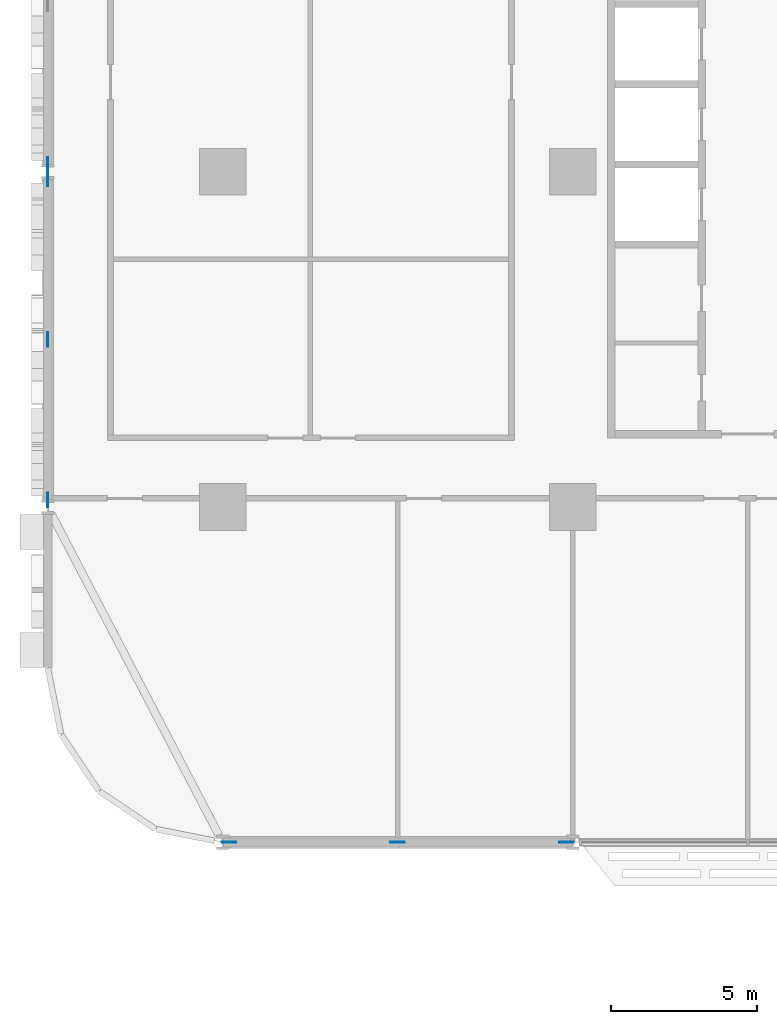
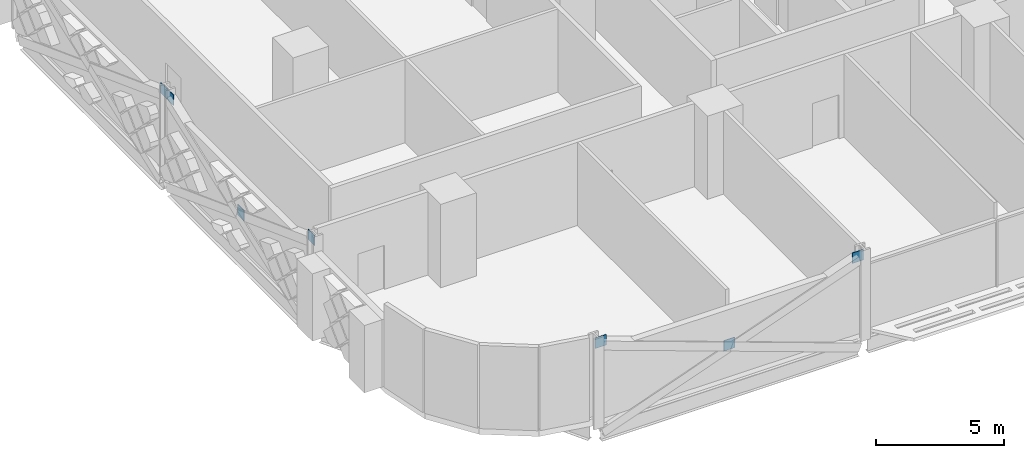
# One storey, part 15 of 26: 7 discrete accessories.
"""IFC4 building model written with IfcOpenShell, lengths in metres."""

from ifc_helpers import new_model, si_unit, direction, frame, origin, origin_2d, place, context, subcontext, project, spatial, rectangle, extrude, material, layer, layer_set, type_object, element, save


model = new_model("IFC4")

# Units and contexts
model_context = context("Model", 3, precision=1e-05, world=origin(), true_north=direction((0.0, 1.0)))
body_context = subcontext(model_context, "Body", "Model", "MODEL_VIEW")
ifc_project = project(units=[si_unit("LENGTHUNIT", "METRE"), si_unit("AREAUNIT", "SQUARE_METRE"), si_unit("VOLUMEUNIT", "CUBIC_METRE"), si_unit("PLANEANGLEUNIT", "RADIAN"), si_unit("MASSUNIT", "GRAM", prefix="KILO")], contexts=[model_context])

# Site, building, storey
site_placement = place(None, origin())
site = spatial("IfcSite", under=ifc_project, at=site_placement, CompositionType="ELEMENT")
building_placement = place(site_placement, origin())
building = spatial("IfcBuilding", under=site, at=building_placement, Name="Mahtab Terrace Research Tower", CompositionType="ELEMENT")
storey_placement = place(building_placement, frame((0.0, 0.0, 15.800048828125)))
storey = spatial("IfcBuildingStorey", under=building, at=storey_placement, Name="L03", CompositionType="ELEMENT", Elevation=15.800048828125)

# Discrete accessories
ifc_material = material(Name="Steel ASTM A992 Gr 50", Category="steel")
ifc_layer = layer(ifc_material, 0.030029296875)
ifc_layer_set = layer_set([ifc_layer], Name="Gusset plate 500x500x30")
discrete_accessory_type = type_object("IfcDiscreteAccessoryType", Name="Gusset plate 500x500x30", PredefinedType="USERDEFINED", material=ifc_layer_set)
for number, where, z_axis, x_axis, name in (
    (1, (-41.7841796875, -23.0, 3.33154296875), (0.0, 0.0, 1.0), (1.0, 0.0, 0.0), "Gusset plate"),
    (2, (-36.0, -23.0, 1.181640625), (0.0, 0.0, 1.0), (1.0, 0.0, 0.0), "Gusset plate"),
    (3, (-30.2158203125, -23.0, 3.33154296875), (0.0, 0.0, 1.0), (1.0, 0.0, 0.0), "Gusset plate"),
    (4, (-48.0, -11.251220703125, 3.33154296875), (0.0, 0.0, 1.0), (0.0, 1.0, 0.0), "Gusset plate"),
    (5, (-48.0, -5.75, 1.181396484375), (0.0, 0.0, 1.0), (0.0, 1.0, 0.0), "Gusset plate"),
    (6, (-48.0, -0.248779296875, 3.33154296875), (0.0, 0.0, 1.0), (0.0, 1.0, 0.0), "Gusset plate"),
    (7, (-48.0, 0.248779296875, 3.33154296875), (0.0, 0.0, 1.0), (0.0, 1.0, 0.0), "Gusset plate"),
):
    element("IfcDiscreteAccessory", number, at=place(storey_placement, frame(where, z_axis=z_axis, x_axis=x_axis)), inside=storey, type_object=discrete_accessory_type, Name=name, ObjectType="GUSSET PLATE", PredefinedType="USERDEFINED", context=body_context, shape_type="SweptSolid", body=[
        extrude(rectangle(XDim=0.5, YDim=0.030029296875, at=origin_2d()), origin(), (0.0, 0.0, 1.0), 0.5),
    ])

save(model, "model.ifc")
